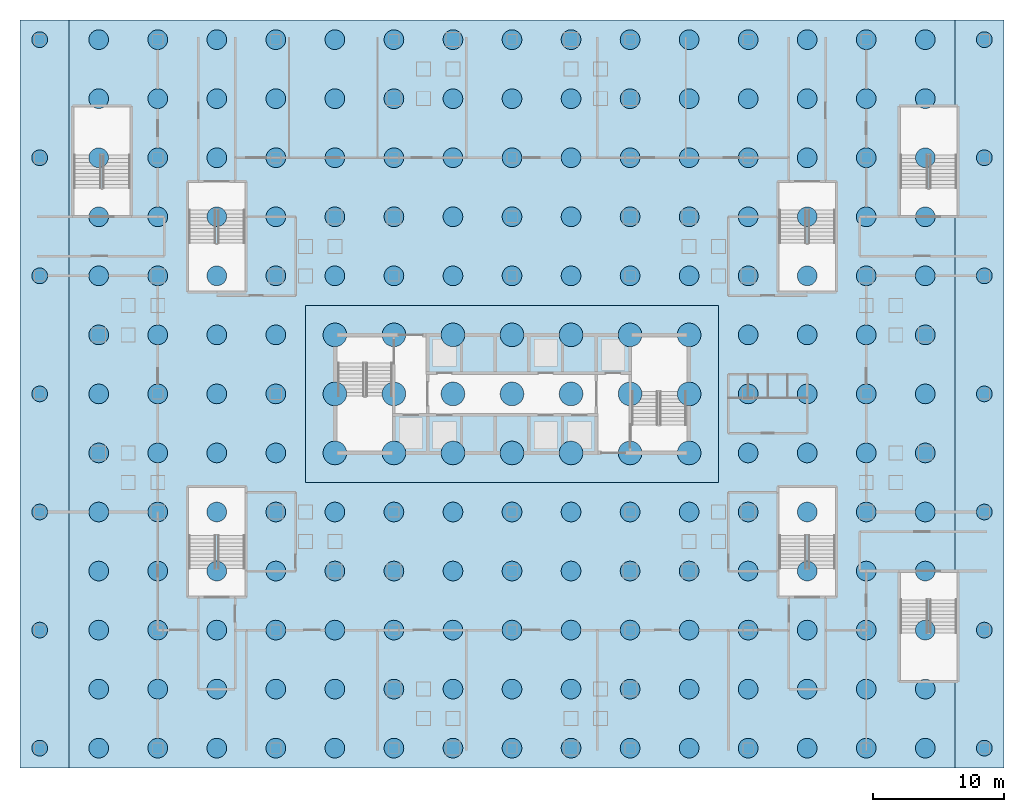
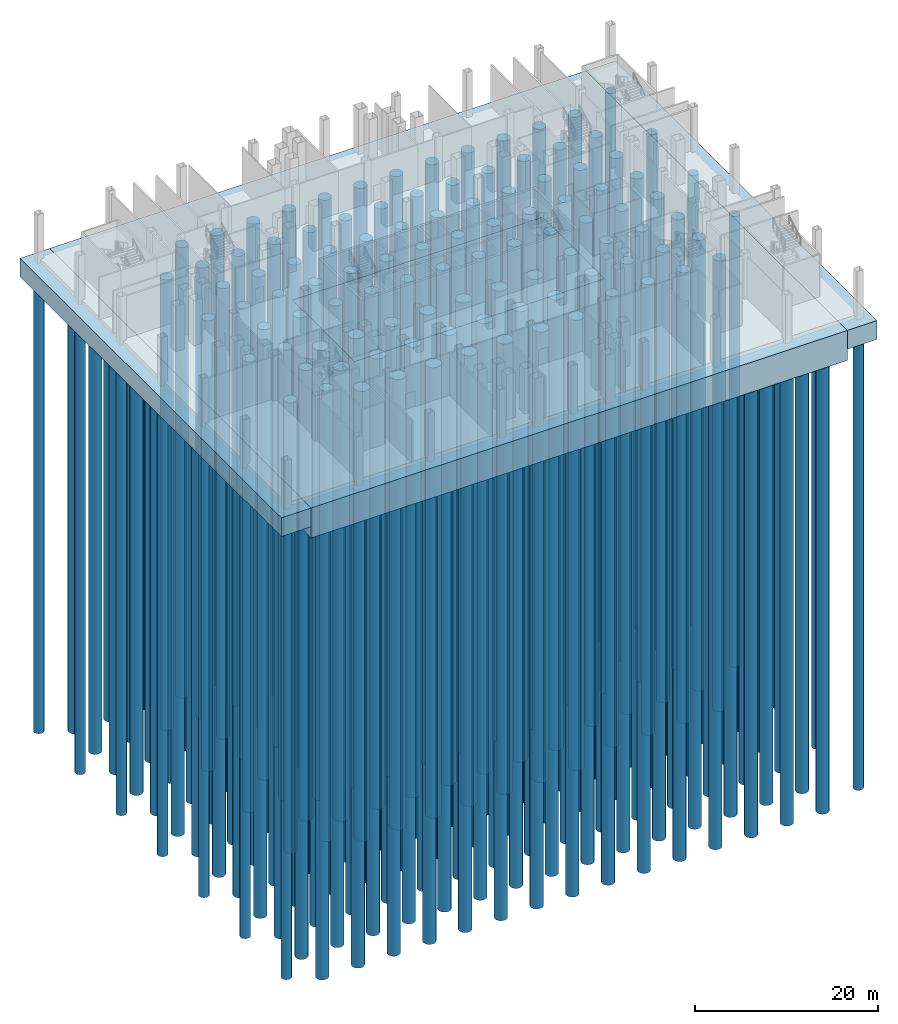
# One storey, part 1 of 25: 209 piles, 4 footings.
"""IFC4 building model written with IfcOpenShell, lengths in metres."""

import ifcopenshell
import ifcopenshell.guid

model = None  # the IFC model being written
_history = None  # IfcOwnerHistory: only IFC2X3 demands one
_inside = {}  # id of a spatial element -> (the spatial element, [elements in it])
_under = {}  # id of a project, library or spatial element -> (it, [spatial elements below it])
_declared = {}  # id of a project -> (the project, [libraries it declares])
_typed = {}  # id of a type object -> (the type object, [elements of that type])
_made_of = {}  # id of a material, layer set ... -> (it, [elements and type objects made of it])


def new_model(schema):
    """Start an empty IFC model of exactly this schema.

    Asked for "IFC4X3", IfcOpenShell would pick the latest addendum, in which some entities
    have other attributes; the version numbers below select the first issue.
    IFC2X3 requires an IfcOwnerHistory on every rooted entity: one is made here for all.
    """
    global model, _history
    if schema == "IFC4X3":
        model = ifcopenshell.file(schema_version=(4, 3, 0, 0))
    else:
        model = ifcopenshell.file(schema=schema)
    _inside.clear()
    _under.clear()
    _declared.clear()
    _typed.clear()
    _made_of.clear()
    _history = None
    if model.schema == "IFC2X3":
        org = make("IfcOrganization", Name="unknown")
        user = make(
            "IfcPersonAndOrganization",
            ThePerson=make("IfcPerson", FamilyName="unknown"),
            TheOrganization=org,
        )
        app = make(
            "IfcApplication",
            ApplicationDeveloper=org,
            Version="unknown",
            ApplicationFullName="unknown",
            ApplicationIdentifier="unknown",
        )
        _history = make(
            "IfcOwnerHistory",
            OwningUser=user,
            OwningApplication=app,
            ChangeAction="ADDED",
            CreationDate=0,
        )
    return model


def make(cls, **values):
    """One entity of the class cls with the attributes given. An attribute that is None is left unset."""
    return model.create_entity(
        cls, **{name: value for name, value in values.items() if value is not None}
    )


def rooted(cls, **values):
    """An entity with a GlobalId (a new one), such as an element, a storey or a relation."""
    return make(cls, GlobalId=ifcopenshell.guid.new(), OwnerHistory=_history, **values)


def si_unit(unit_type, name, prefix=None):
    """IfcSIUnit, for example si_unit("LENGTHUNIT", "METRE", prefix="MILLI")."""
    return make("IfcSIUnit", UnitType=unit_type, Prefix=prefix, Name=name)


def assignment(units):
    """IfcUnitAssignment: the units of a project."""
    return None if units is None else make("IfcUnitAssignment", Units=units)


def point(xyz):
    """IfcCartesianPoint."""
    return None if xyz is None else make("IfcCartesianPoint", Coordinates=xyz)


def direction(xyz):
    """IfcDirection."""
    return None if xyz is None else make("IfcDirection", DirectionRatios=xyz)


def frame(location, z_axis=None, x_axis=None):
    """IfcAxis2Placement3D, a coordinate frame: its origin and axes. An axis left out is left unset."""
    return make(
        "IfcAxis2Placement3D",
        Location=point(location),
        Axis=direction(z_axis),
        RefDirection=direction(x_axis),
    )


def frame_2d(location, x_axis=None):
    """IfcAxis2Placement2D, a coordinate frame in the plane: its origin and x axis."""
    return make(
        "IfcAxis2Placement2D", Location=point(location), RefDirection=direction(x_axis)
    )


def origin():
    """The frame at (0, 0, 0) with its axes left unset."""
    return frame((0.0, 0.0, 0.0))


def origin_2d():
    """The frame at (0, 0) in the plane with its x axis left unset."""
    return frame_2d((0.0, 0.0))


def place(relative_to, where):
    """IfcLocalPlacement: puts the frame where relative to a parent placement (None: the world)."""
    return make(
        "IfcLocalPlacement", PlacementRelTo=relative_to, RelativePlacement=where
    )


def context(
    kind, dimensions, precision=None, world=None, true_north=None, identifier=None
):
    """IfcGeometricRepresentationContext, for example the 3D "Model" context."""
    return make(
        "IfcGeometricRepresentationContext",
        ContextIdentifier=identifier,
        ContextType=kind,
        CoordinateSpaceDimension=dimensions,
        Precision=precision,
        WorldCoordinateSystem=world,
        TrueNorth=true_north,
    )


def subcontext(parent, identifier, kind, view, scale=None):
    """IfcGeometricRepresentationSubContext, for example "Body" below "Model"."""
    return make(
        "IfcGeometricRepresentationSubContext",
        ContextIdentifier=identifier,
        ContextType=kind,
        ParentContext=parent,
        TargetScale=scale,
        TargetView=view,
    )


def project(units=None, contexts=None):
    """IfcProject with its units and contexts."""
    return rooted(
        "IfcProject",
        Name="project",
        RepresentationContexts=contexts,
        UnitsInContext=assignment(units),
    )


def spatial(cls, under=None, at=None, **own):
    """A site, building, storey or space (cls), placed at a placement, below another one or the project."""
    s = rooted(cls, ObjectPlacement=at, **own)
    if under is not None:
        _under.setdefault(under.id(), (under, []))[1].append(s)
    return s


def polyline(points):
    """IfcPolyline through the points."""
    return make("IfcPolyline", Points=[point(p) for p in points])


def profile(cls, at=None, kind="AREA", **sizes):
    """A parametric profile (cls). Its sizes go by their IFC names, for example OverallWidth=200.0."""
    return make(cls, ProfileType=kind, Position=at, **sizes)


def circle(**sizes):
    """IfcCircleProfileDef."""
    return profile("IfcCircleProfileDef", **sizes)


def outline(outer, holes=None, kind="AREA"):
    """IfcArbitraryClosedProfileDef: a profile drawn as a closed curve; with holes, ...WithVoids."""
    if holes is None:
        return make("IfcArbitraryClosedProfileDef", ProfileType=kind, OuterCurve=outer)
    return make(
        "IfcArbitraryProfileDefWithVoids",
        ProfileType=kind,
        OuterCurve=outer,
        InnerCurves=holes,
    )


def extrude(swept, where, along, depth):
    """IfcExtrudedAreaSolid: the profile swept, set in the frame where, extruded along a direction by depth."""
    return make(
        "IfcExtrudedAreaSolid",
        SweptArea=swept,
        Position=where,
        ExtrudedDirection=direction(along),
        Depth=depth,
    )


def shape(context_of_items, identifier, shape_type, items):
    """IfcShapeRepresentation: the items that make up one representation, for example the "Body"."""
    return make(
        "IfcShapeRepresentation",
        ContextOfItems=context_of_items,
        RepresentationIdentifier=identifier,
        RepresentationType=shape_type,
        Items=items,
    )


def material(Name=None, Category=None):
    """IfcMaterial."""
    return make("IfcMaterial", Name=Name, Category=Category)


def layer(
    of_material, thickness, ventilated=None, Name=None, Category=None, Priority=None
):
    """IfcMaterialLayer: one layer of a wall or slab, of a material (None: an air gap)."""
    return make(
        "IfcMaterialLayer",
        Material=of_material,
        LayerThickness=thickness,
        IsVentilated=ventilated,
        Name=Name,
        Category=Category,
        Priority=Priority,
    )


def layer_set(layers, Name=None):
    """IfcMaterialLayerSet."""
    return make("IfcMaterialLayerSet", MaterialLayers=layers, LayerSetName=Name)


def material_profile(
    of_material, cross_section, Name=None, Category=None, Priority=None
):
    """IfcMaterialProfile: a cross section and its material."""
    return make(
        "IfcMaterialProfile",
        Name=Name,
        Material=of_material,
        Profile=cross_section,
        Priority=Priority,
        Category=Category,
    )


def profile_set(profiles, Name=None, composite=None):
    """IfcMaterialProfileSet."""
    return make(
        "IfcMaterialProfileSet",
        Name=Name,
        MaterialProfiles=profiles,
        CompositeProfile=composite,
    )


def made_of(thing, what):
    """Note that an element or type object is made of a material, layer set ...; save() writes the relation."""
    if what is not None:
        _made_of.setdefault(what.id(), (what, []))[1].append(thing)
    return thing


def type_object(cls, material=None, **own):
    """A type object (cls), such as IfcWallType, which elements share."""
    return made_of(rooted(cls, **own), material)


def element(
    cls,
    number,
    at=None,
    inside=None,
    cuts=None,
    type_object=None,
    material=None,
    context=None,
    identifier="Body",
    shape_type=None,
    held_by="IfcProductDefinitionShape",
    body=None,
    shapes=None,
    **own,
):
    """One element of the class cls, such as IfcWall. Its Tag is "e" and its number.

    at: its placement. inside: the storey or other place that contains it. cuts: it is an
    opening in that element (IfcRelVoidsElement). A single representation is given by context,
    identifier, shape_type and body (its items); several are given by shapes. held_by: the class
    of the entity that holds the representations. save() writes the other relations.
    """
    e = rooted(cls, Tag="e%d" % number, ObjectPlacement=at, **own)
    if body is not None:
        shapes = [shape(context, identifier, shape_type, body)]
    if shapes is not None:
        e.Representation = make(held_by, Representations=shapes)
    if inside is not None:
        _inside.setdefault(inside.id(), (inside, []))[1].append(e)
    if cuts is not None:
        rooted(
            "IfcRelVoidsElement", RelatingBuildingElement=cuts, RelatedOpeningElement=e
        )
    if type_object is not None:
        _typed.setdefault(type_object.id(), (type_object, []))[1].append(e)
    return made_of(e, material)


def aggregate(whole, parts):
    """IfcRelAggregates: a whole, such as a stair, and the parts it consists of."""
    return rooted("IfcRelAggregates", RelatingObject=whole, RelatedObjects=parts)


def save(model, path):
    """Write the relations noted so far, then the file.

    IfcRelAggregates (storeys below a building ...), IfcRelContainedInSpatialStructure (elements
    in a storey), IfcRelDefinesByType, IfcRelAssociatesMaterial and IfcRelDeclares: one each for
    every whole, place, type object, material and project.
    """
    for whole, parts in _under.values():
        aggregate(whole, parts)
    for where, things in _inside.values():
        rooted(
            "IfcRelContainedInSpatialStructure",
            RelatedElements=things,
            RelatingStructure=where,
        )
    for kind, things in _typed.values():
        rooted("IfcRelDefinesByType", RelatedObjects=things, RelatingType=kind)
    for what, things in _made_of.values():
        rooted("IfcRelAssociatesMaterial", RelatedObjects=things, RelatingMaterial=what)
    for by, libraries in _declared.values():
        rooted("IfcRelDeclares", RelatingContext=by, RelatedDefinitions=libraries)
    model.write(path)


model = new_model("IFC4")

# Units and contexts
model_context = context("Model", 3, precision=1e-05, world=origin(), true_north=direction((0.0, 1.0)))
body_context = subcontext(model_context, "Body", "Model", "MODEL_VIEW")
ifc_project = project(units=[si_unit("LENGTHUNIT", "METRE"), si_unit("AREAUNIT", "SQUARE_METRE"), si_unit("VOLUMEUNIT", "CUBIC_METRE"), si_unit("PLANEANGLEUNIT", "RADIAN"), si_unit("MASSUNIT", "GRAM", prefix="KILO")], contexts=[model_context])

# Site, building, storey
site_placement = place(None, origin())
site = spatial("IfcSite", under=ifc_project, at=site_placement, CompositionType="ELEMENT")
building_placement = place(site_placement, origin())
building = spatial("IfcBuilding", under=site, at=building_placement, Name="Caravel Reach Hotel and Residences", CompositionType="ELEMENT")
storey_placement = place(building_placement, frame((0.0, 0.0, -6.0)))
storey = spatial("IfcBuildingStorey", under=building, at=storey_placement, Name="B1", CompositionType="ELEMENT", Elevation=-6.0)

# Piles
ifc_material_1 = material(Name="Concrete C40", Category="concrete")
ifc_material_profile_1 = material_profile(ifc_material_1, circle(Radius=0.60009765625, at=origin_2d()), Name="PILE 1200")
ifc_profile_set_1 = profile_set([ifc_material_profile_1], Name="Concrete C40")
pile_type_1 = type_object("IfcPileType", Name="Bored pile 1200", PredefinedType="BORED", material=ifc_profile_set_1)
for number, where, z_axis, x_axis, name in (
    (1, (-4.5, 0.0, -3.0), (0.0, 0.0, -1.0), (1.0, 0.0, 0.0), "Bored pile P196"),
    (2, (-4.5, 9.0, -3.0), (0.0, 0.0, -1.0), (1.0, 0.0, 0.0), "Bored pile P197"),
    (3, (-4.5, 18.0, -3.0), (0.0, 0.0, -1.0), (1.0, 0.0, 0.0), "Bored pile P198"),
    (4, (-4.5, 27.0, -3.0), (0.0, 0.0, -1.0), (1.0, 0.0, 0.0), "Bored pile P199"),
    (5, (-4.5, 36.0, -3.0), (0.0, 0.0, -1.0), (1.0, 0.0, 0.0), "Bored pile P200"),
    (6, (-4.5, 45.0, -3.0), (0.0, 0.0, -1.0), (1.0, 0.0, 0.0), "Bored pile P201"),
    (7, (-4.5, 54.0, -3.0), (0.0, 0.0, -1.0), (1.0, 0.0, 0.0), "Bored pile P202"),
    (8, (67.5, 0.0, -3.0), (0.0, 0.0, -1.0), (1.0, 0.0, 0.0), "Bored pile P203"),
    (9, (67.5, 9.0, -3.0), (0.0, 0.0, -1.0), (1.0, 0.0, 0.0), "Bored pile P204"),
    (10, (67.5, 18.0, -3.0), (0.0, 0.0, -1.0), (1.0, 0.0, 0.0), "Bored pile P205"),
    (11, (67.5, 27.0, -3.0), (0.0, 0.0, -1.0), (1.0, 0.0, 0.0), "Bored pile P206"),
    (12, (67.5, 36.0, -3.0), (0.0, 0.0, -1.0), (1.0, 0.0, 0.0), "Bored pile P207"),
    (13, (67.5, 45.0, -3.0), (0.0, 0.0, -1.0), (1.0, 0.0, 0.0), "Bored pile P208"),
    (14, (67.5, 54.0, -3.0), (0.0, 0.0, -1.0), (1.0, 0.0, 0.0), "Bored pile P209"),
):
    element("IfcPile", number, at=place(storey_placement, frame(where, z_axis=z_axis, x_axis=x_axis)), inside=storey, type_object=pile_type_1, Name=name, PredefinedType="BORED", context=body_context, shape_type="SweptSolid", body=[
        extrude(circle(Radius=0.60009765625, at=origin_2d()), origin(), (0.0, 0.0, 1.0), 60.0),
    ])
ifc_material_2 = material(Name="Concrete C40", Category="concrete")
ifc_material_profile_2 = material_profile(ifc_material_2, circle(Radius=0.75, at=origin_2d()), Name="PILE 1500")
ifc_profile_set_2 = profile_set([ifc_material_profile_2], Name="Concrete C40")
pile_type_2 = type_object("IfcPileType", Name="Bored pile 1500", PredefinedType="BORED", material=ifc_profile_set_2)
for number, where, z_axis, x_axis, name in (
    (15, (0.0, 0.0, -4.5), (0.0, 0.0, -1.0), (1.0, 0.0, 0.0), "Bored pile P001"),
    (16, (0.0, 4.5, -4.5), (0.0, 0.0, -1.0), (1.0, 0.0, 0.0), "Bored pile P002"),
    (17, (0.0, 9.0, -4.5), (0.0, 0.0, -1.0), (1.0, 0.0, 0.0), "Bored pile P003"),
    (18, (0.0, 13.5, -4.5), (0.0, 0.0, -1.0), (1.0, 0.0, 0.0), "Bored pile P004"),
    (19, (0.0, 18.0, -4.5), (0.0, 0.0, -1.0), (1.0, 0.0, 0.0), "Bored pile P005"),
    (20, (0.0, 22.5, -4.5), (0.0, 0.0, -1.0), (1.0, 0.0, 0.0), "Bored pile P006"),
    (21, (0.0, 27.0, -4.5), (0.0, 0.0, -1.0), (1.0, 0.0, 0.0), "Bored pile P007"),
    (22, (0.0, 31.5, -4.5), (0.0, 0.0, -1.0), (1.0, 0.0, 0.0), "Bored pile P008"),
    (23, (0.0, 36.0, -4.5), (0.0, 0.0, -1.0), (1.0, 0.0, 0.0), "Bored pile P009"),
    (24, (0.0, 40.5, -4.5), (0.0, 0.0, -1.0), (1.0, 0.0, 0.0), "Bored pile P010"),
    (25, (0.0, 45.0, -4.5), (0.0, 0.0, -1.0), (1.0, 0.0, 0.0), "Bored pile P011"),
    (26, (0.0, 49.5, -4.5), (0.0, 0.0, -1.0), (1.0, 0.0, 0.0), "Bored pile P012"),
    (27, (0.0, 54.0, -4.5), (0.0, 0.0, -1.0), (1.0, 0.0, 0.0), "Bored pile P013"),
    (28, (4.5, 0.0, -4.5), (0.0, 0.0, -1.0), (1.0, 0.0, 0.0), "Bored pile P014"),
    (29, (4.5, 4.5, -4.5), (0.0, 0.0, -1.0), (1.0, 0.0, 0.0), "Bored pile P015"),
    (30, (4.5, 9.0, -4.5), (0.0, 0.0, -1.0), (1.0, 0.0, 0.0), "Bored pile P016"),
    (31, (4.5, 13.5, -4.5), (0.0, 0.0, -1.0), (1.0, 0.0, 0.0), "Bored pile P017"),
    (32, (4.5, 18.0, -4.5), (0.0, 0.0, -1.0), (1.0, 0.0, 0.0), "Bored pile P018"),
    (33, (4.5, 22.5, -4.5), (0.0, 0.0, -1.0), (1.0, 0.0, 0.0), "Bored pile P019"),
    (34, (4.5, 27.0, -4.5), (0.0, 0.0, -1.0), (1.0, 0.0, 0.0), "Bored pile P020"),
    (35, (4.5, 31.5, -4.5), (0.0, 0.0, -1.0), (1.0, 0.0, 0.0), "Bored pile P021"),
    (36, (4.5, 36.0, -4.5), (0.0, 0.0, -1.0), (1.0, 0.0, 0.0), "Bored pile P022"),
    (37, (4.5, 40.5, -4.5), (0.0, 0.0, -1.0), (1.0, 0.0, 0.0), "Bored pile P023"),
    (38, (4.5, 45.0, -4.5), (0.0, 0.0, -1.0), (1.0, 0.0, 0.0), "Bored pile P024"),
    (39, (4.5, 49.5, -4.5), (0.0, 0.0, -1.0), (1.0, 0.0, 0.0), "Bored pile P025"),
    (40, (4.5, 54.0, -4.5), (0.0, 0.0, -1.0), (1.0, 0.0, 0.0), "Bored pile P026"),
    (41, (9.0, 0.0, -4.5), (0.0, 0.0, -1.0), (1.0, 0.0, 0.0), "Bored pile P027"),
    (42, (9.0, 4.5, -4.5), (0.0, 0.0, -1.0), (1.0, 0.0, 0.0), "Bored pile P028"),
    (43, (9.0, 9.0, -4.5), (0.0, 0.0, -1.0), (1.0, 0.0, 0.0), "Bored pile P029"),
    (44, (9.0, 13.5, -4.5), (0.0, 0.0, -1.0), (1.0, 0.0, 0.0), "Bored pile P030"),
    (45, (9.0, 18.0, -4.5), (0.0, 0.0, -1.0), (1.0, 0.0, 0.0), "Bored pile P031"),
    (46, (9.0, 22.5, -4.5), (0.0, 0.0, -1.0), (1.0, 0.0, 0.0), "Bored pile P032"),
    (47, (9.0, 27.0, -4.5), (0.0, 0.0, -1.0), (1.0, 0.0, 0.0), "Bored pile P033"),
    (48, (9.0, 31.5, -4.5), (0.0, 0.0, -1.0), (1.0, 0.0, 0.0), "Bored pile P034"),
    (49, (9.0, 36.0, -4.5), (0.0, 0.0, -1.0), (1.0, 0.0, 0.0), "Bored pile P035"),
    (50, (9.0, 40.5, -4.5), (0.0, 0.0, -1.0), (1.0, 0.0, 0.0), "Bored pile P036"),
    (51, (9.0, 45.0, -4.5), (0.0, 0.0, -1.0), (1.0, 0.0, 0.0), "Bored pile P037"),
    (52, (9.0, 49.5, -4.5), (0.0, 0.0, -1.0), (1.0, 0.0, 0.0), "Bored pile P038"),
    (53, (9.0, 54.0, -4.5), (0.0, 0.0, -1.0), (1.0, 0.0, 0.0), "Bored pile P039"),
    (54, (13.5, 0.0, -4.5), (0.0, 0.0, -1.0), (1.0, 0.0, 0.0), "Bored pile P040"),
    (55, (13.5, 4.5, -4.5), (0.0, 0.0, -1.0), (1.0, 0.0, 0.0), "Bored pile P041"),
    (56, (13.5, 9.0, -4.5), (0.0, 0.0, -1.0), (1.0, 0.0, 0.0), "Bored pile P042"),
    (57, (13.5, 13.5, -4.5), (0.0, 0.0, -1.0), (1.0, 0.0, 0.0), "Bored pile P043"),
    (58, (13.5, 18.0, -4.5), (0.0, 0.0, -1.0), (1.0, 0.0, 0.0), "Bored pile P044"),
    (59, (13.5, 22.5, -4.5), (0.0, 0.0, -1.0), (1.0, 0.0, 0.0), "Bored pile P045"),
    (60, (13.5, 27.0, -4.5), (0.0, 0.0, -1.0), (1.0, 0.0, 0.0), "Bored pile P046"),
    (61, (13.5, 31.5, -4.5), (0.0, 0.0, -1.0), (1.0, 0.0, 0.0), "Bored pile P047"),
    (62, (13.5, 36.0, -4.5), (0.0, 0.0, -1.0), (1.0, 0.0, 0.0), "Bored pile P048"),
    (63, (13.5, 40.5, -4.5), (0.0, 0.0, -1.0), (1.0, 0.0, 0.0), "Bored pile P049"),
    (64, (13.5, 45.0, -4.5), (0.0, 0.0, -1.0), (1.0, 0.0, 0.0), "Bored pile P050"),
    (65, (13.5, 49.5, -4.5), (0.0, 0.0, -1.0), (1.0, 0.0, 0.0), "Bored pile P051"),
    (66, (13.5, 54.0, -4.5), (0.0, 0.0, -1.0), (1.0, 0.0, 0.0), "Bored pile P052"),
    (67, (18.0, 0.0, -4.5), (0.0, 0.0, -1.0), (1.0, 0.0, 0.0), "Bored pile P053"),
    (68, (18.0, 4.5, -4.5), (0.0, 0.0, -1.0), (1.0, 0.0, 0.0), "Bored pile P054"),
    (69, (18.0, 9.0, -4.5), (0.0, 0.0, -1.0), (1.0, 0.0, 0.0), "Bored pile P055"),
    (70, (18.0, 13.5, -4.5), (0.0, 0.0, -1.0), (1.0, 0.0, 0.0), "Bored pile P056"),
    (71, (18.0, 18.0, -4.5), (0.0, 0.0, -1.0), (1.0, 0.0, 0.0), "Bored pile P057"),
    (72, (18.0, 36.0, -4.5), (0.0, 0.0, -1.0), (1.0, 0.0, 0.0), "Bored pile P061"),
    (73, (18.0, 40.5, -4.5), (0.0, 0.0, -1.0), (1.0, 0.0, 0.0), "Bored pile P062"),
    (74, (18.0, 45.0, -4.5), (0.0, 0.0, -1.0), (1.0, 0.0, 0.0), "Bored pile P063"),
    (75, (18.0, 49.5, -4.5), (0.0, 0.0, -1.0), (1.0, 0.0, 0.0), "Bored pile P064"),
    (76, (18.0, 54.0, -4.5), (0.0, 0.0, -1.0), (1.0, 0.0, 0.0), "Bored pile P065"),
    (77, (22.5, 0.0, -4.5), (0.0, 0.0, -1.0), (1.0, 0.0, 0.0), "Bored pile P066"),
    (78, (22.5, 4.5, -4.5), (0.0, 0.0, -1.0), (1.0, 0.0, 0.0), "Bored pile P067"),
    (79, (22.5, 9.0, -4.5), (0.0, 0.0, -1.0), (1.0, 0.0, 0.0), "Bored pile P068"),
    (80, (22.5, 13.5, -4.5), (0.0, 0.0, -1.0), (1.0, 0.0, 0.0), "Bored pile P069"),
    (81, (22.5, 18.0, -4.5), (0.0, 0.0, -1.0), (1.0, 0.0, 0.0), "Bored pile P070"),
    (82, (22.5, 36.0, -4.5), (0.0, 0.0, -1.0), (1.0, 0.0, 0.0), "Bored pile P074"),
    (83, (22.5, 40.5, -4.5), (0.0, 0.0, -1.0), (1.0, 0.0, 0.0), "Bored pile P075"),
    (84, (22.5, 45.0, -4.5), (0.0, 0.0, -1.0), (1.0, 0.0, 0.0), "Bored pile P076"),
    (85, (22.5, 49.5, -4.5), (0.0, 0.0, -1.0), (1.0, 0.0, 0.0), "Bored pile P077"),
    (86, (22.5, 54.0, -4.5), (0.0, 0.0, -1.0), (1.0, 0.0, 0.0), "Bored pile P078"),
    (87, (27.0, 0.0, -4.5), (0.0, 0.0, -1.0), (1.0, 0.0, 0.0), "Bored pile P079"),
    (88, (27.0, 4.5, -4.5), (0.0, 0.0, -1.0), (1.0, 0.0, 0.0), "Bored pile P080"),
    (89, (27.0, 9.0, -4.5), (0.0, 0.0, -1.0), (1.0, 0.0, 0.0), "Bored pile P081"),
    (90, (27.0, 13.5, -4.5), (0.0, 0.0, -1.0), (1.0, 0.0, 0.0), "Bored pile P082"),
    (91, (27.0, 18.0, -4.5), (0.0, 0.0, -1.0), (1.0, 0.0, 0.0), "Bored pile P083"),
    (92, (27.0, 36.0, -4.5), (0.0, 0.0, -1.0), (1.0, 0.0, 0.0), "Bored pile P087"),
    (93, (27.0, 40.5, -4.5), (0.0, 0.0, -1.0), (1.0, 0.0, 0.0), "Bored pile P088"),
    (94, (27.0, 45.0, -4.5), (0.0, 0.0, -1.0), (1.0, 0.0, 0.0), "Bored pile P089"),
    (95, (27.0, 49.5, -4.5), (0.0, 0.0, -1.0), (1.0, 0.0, 0.0), "Bored pile P090"),
    (96, (27.0, 54.0, -4.5), (0.0, 0.0, -1.0), (1.0, 0.0, 0.0), "Bored pile P091"),
    (97, (31.5, 0.0, -4.5), (0.0, 0.0, -1.0), (1.0, 0.0, 0.0), "Bored pile P092"),
    (98, (31.5, 4.5, -4.5), (0.0, 0.0, -1.0), (1.0, 0.0, 0.0), "Bored pile P093"),
    (99, (31.5, 9.0, -4.5), (0.0, 0.0, -1.0), (1.0, 0.0, 0.0), "Bored pile P094"),
    (100, (31.5, 13.5, -4.5), (0.0, 0.0, -1.0), (1.0, 0.0, 0.0), "Bored pile P095"),
    (101, (31.5, 18.0, -4.5), (0.0, 0.0, -1.0), (1.0, 0.0, 0.0), "Bored pile P096"),
    (102, (31.5, 36.0, -4.5), (0.0, 0.0, -1.0), (1.0, 0.0, 0.0), "Bored pile P100"),
    (103, (31.5, 40.5, -4.5), (0.0, 0.0, -1.0), (1.0, 0.0, 0.0), "Bored pile P101"),
    (104, (31.5, 45.0, -4.5), (0.0, 0.0, -1.0), (1.0, 0.0, 0.0), "Bored pile P102"),
    (105, (31.5, 49.5, -4.5), (0.0, 0.0, -1.0), (1.0, 0.0, 0.0), "Bored pile P103"),
    (106, (31.5, 54.0, -4.5), (0.0, 0.0, -1.0), (1.0, 0.0, 0.0), "Bored pile P104"),
    (107, (36.0, 0.0, -4.5), (0.0, 0.0, -1.0), (1.0, 0.0, 0.0), "Bored pile P105"),
    (108, (36.0, 4.5, -4.5), (0.0, 0.0, -1.0), (1.0, 0.0, 0.0), "Bored pile P106"),
    (109, (36.0, 9.0, -4.5), (0.0, 0.0, -1.0), (1.0, 0.0, 0.0), "Bored pile P107"),
    (110, (36.0, 13.5, -4.5), (0.0, 0.0, -1.0), (1.0, 0.0, 0.0), "Bored pile P108"),
    (111, (36.0, 18.0, -4.5), (0.0, 0.0, -1.0), (1.0, 0.0, 0.0), "Bored pile P109"),
    (112, (36.0, 36.0, -4.5), (0.0, 0.0, -1.0), (1.0, 0.0, 0.0), "Bored pile P113"),
    (113, (36.0, 40.5, -4.5), (0.0, 0.0, -1.0), (1.0, 0.0, 0.0), "Bored pile P114"),
    (114, (36.0, 45.0, -4.5), (0.0, 0.0, -1.0), (1.0, 0.0, 0.0), "Bored pile P115"),
    (115, (36.0, 49.5, -4.5), (0.0, 0.0, -1.0), (1.0, 0.0, 0.0), "Bored pile P116"),
    (116, (36.0, 54.0, -4.5), (0.0, 0.0, -1.0), (1.0, 0.0, 0.0), "Bored pile P117"),
    (117, (40.5, 0.0, -4.5), (0.0, 0.0, -1.0), (1.0, 0.0, 0.0), "Bored pile P118"),
    (118, (40.5, 4.5, -4.5), (0.0, 0.0, -1.0), (1.0, 0.0, 0.0), "Bored pile P119"),
    (119, (40.5, 9.0, -4.5), (0.0, 0.0, -1.0), (1.0, 0.0, 0.0), "Bored pile P120"),
    (120, (40.5, 13.5, -4.5), (0.0, 0.0, -1.0), (1.0, 0.0, 0.0), "Bored pile P121"),
    (121, (40.5, 18.0, -4.5), (0.0, 0.0, -1.0), (1.0, 0.0, 0.0), "Bored pile P122"),
    (122, (40.5, 36.0, -4.5), (0.0, 0.0, -1.0), (1.0, 0.0, 0.0), "Bored pile P126"),
    (123, (40.5, 40.5, -4.5), (0.0, 0.0, -1.0), (1.0, 0.0, 0.0), "Bored pile P127"),
    (124, (40.5, 45.0, -4.5), (0.0, 0.0, -1.0), (1.0, 0.0, 0.0), "Bored pile P128"),
    (125, (40.5, 49.5, -4.5), (0.0, 0.0, -1.0), (1.0, 0.0, 0.0), "Bored pile P129"),
    (126, (40.5, 54.0, -4.5), (0.0, 0.0, -1.0), (1.0, 0.0, 0.0), "Bored pile P130"),
    (127, (45.0, 0.0, -4.5), (0.0, 0.0, -1.0), (1.0, 0.0, 0.0), "Bored pile P131"),
    (128, (45.0, 4.5, -4.5), (0.0, 0.0, -1.0), (1.0, 0.0, 0.0), "Bored pile P132"),
    (129, (45.0, 9.0, -4.5), (0.0, 0.0, -1.0), (1.0, 0.0, 0.0), "Bored pile P133"),
    (130, (45.0, 13.5, -4.5), (0.0, 0.0, -1.0), (1.0, 0.0, 0.0), "Bored pile P134"),
    (131, (45.0, 18.0, -4.5), (0.0, 0.0, -1.0), (1.0, 0.0, 0.0), "Bored pile P135"),
    (132, (45.0, 36.0, -4.5), (0.0, 0.0, -1.0), (1.0, 0.0, 0.0), "Bored pile P139"),
    (133, (45.0, 40.5, -4.5), (0.0, 0.0, -1.0), (1.0, 0.0, 0.0), "Bored pile P140"),
    (134, (45.0, 45.0, -4.5), (0.0, 0.0, -1.0), (1.0, 0.0, 0.0), "Bored pile P141"),
    (135, (45.0, 49.5, -4.5), (0.0, 0.0, -1.0), (1.0, 0.0, 0.0), "Bored pile P142"),
    (136, (45.0, 54.0, -4.5), (0.0, 0.0, -1.0), (1.0, 0.0, 0.0), "Bored pile P143"),
    (137, (49.5, 0.0, -4.5), (0.0, 0.0, -1.0), (1.0, 0.0, 0.0), "Bored pile P144"),
    (138, (49.5, 4.5, -4.5), (0.0, 0.0, -1.0), (1.0, 0.0, 0.0), "Bored pile P145"),
    (139, (49.5, 9.0, -4.5), (0.0, 0.0, -1.0), (1.0, 0.0, 0.0), "Bored pile P146"),
    (140, (49.5, 13.5, -4.5), (0.0, 0.0, -1.0), (1.0, 0.0, 0.0), "Bored pile P147"),
    (141, (49.5, 18.0, -4.5), (0.0, 0.0, -1.0), (1.0, 0.0, 0.0), "Bored pile P148"),
    (142, (49.5, 22.5, -4.5), (0.0, 0.0, -1.0), (1.0, 0.0, 0.0), "Bored pile P149"),
    (143, (49.5, 27.0, -4.5), (0.0, 0.0, -1.0), (1.0, 0.0, 0.0), "Bored pile P150"),
    (144, (49.5, 31.5, -4.5), (0.0, 0.0, -1.0), (1.0, 0.0, 0.0), "Bored pile P151"),
    (145, (49.5, 36.0, -4.5), (0.0, 0.0, -1.0), (1.0, 0.0, 0.0), "Bored pile P152"),
    (146, (49.5, 40.5, -4.5), (0.0, 0.0, -1.0), (1.0, 0.0, 0.0), "Bored pile P153"),
    (147, (49.5, 45.0, -4.5), (0.0, 0.0, -1.0), (1.0, 0.0, 0.0), "Bored pile P154"),
    (148, (49.5, 49.5, -4.5), (0.0, 0.0, -1.0), (1.0, 0.0, 0.0), "Bored pile P155"),
    (149, (49.5, 54.0, -4.5), (0.0, 0.0, -1.0), (1.0, 0.0, 0.0), "Bored pile P156"),
    (150, (54.0, 0.0, -4.5), (0.0, 0.0, -1.0), (1.0, 0.0, 0.0), "Bored pile P157"),
    (151, (54.0, 4.5, -4.5), (0.0, 0.0, -1.0), (1.0, 0.0, 0.0), "Bored pile P158"),
    (152, (54.0, 9.0, -4.5), (0.0, 0.0, -1.0), (1.0, 0.0, 0.0), "Bored pile P159"),
    (153, (54.0, 13.5, -4.5), (0.0, 0.0, -1.0), (1.0, 0.0, 0.0), "Bored pile P160"),
    (154, (54.0, 18.0, -4.5), (0.0, 0.0, -1.0), (1.0, 0.0, 0.0), "Bored pile P161"),
    (155, (54.0, 22.5, -4.5), (0.0, 0.0, -1.0), (1.0, 0.0, 0.0), "Bored pile P162"),
    (156, (54.0, 27.0, -4.5), (0.0, 0.0, -1.0), (1.0, 0.0, 0.0), "Bored pile P163"),
    (157, (54.0, 31.5, -4.5), (0.0, 0.0, -1.0), (1.0, 0.0, 0.0), "Bored pile P164"),
    (158, (54.0, 36.0, -4.5), (0.0, 0.0, -1.0), (1.0, 0.0, 0.0), "Bored pile P165"),
    (159, (54.0, 40.5, -4.5), (0.0, 0.0, -1.0), (1.0, 0.0, 0.0), "Bored pile P166"),
    (160, (54.0, 45.0, -4.5), (0.0, 0.0, -1.0), (1.0, 0.0, 0.0), "Bored pile P167"),
    (161, (54.0, 49.5, -4.5), (0.0, 0.0, -1.0), (1.0, 0.0, 0.0), "Bored pile P168"),
    (162, (54.0, 54.0, -4.5), (0.0, 0.0, -1.0), (1.0, 0.0, 0.0), "Bored pile P169"),
    (163, (58.5, 0.0, -4.5), (0.0, 0.0, -1.0), (1.0, 0.0, 0.0), "Bored pile P170"),
    (164, (58.5, 4.5, -4.5), (0.0, 0.0, -1.0), (1.0, 0.0, 0.0), "Bored pile P171"),
    (165, (58.5, 9.0, -4.5), (0.0, 0.0, -1.0), (1.0, 0.0, 0.0), "Bored pile P172"),
    (166, (58.5, 13.5, -4.5), (0.0, 0.0, -1.0), (1.0, 0.0, 0.0), "Bored pile P173"),
    (167, (58.5, 18.0, -4.5), (0.0, 0.0, -1.0), (1.0, 0.0, 0.0), "Bored pile P174"),
    (168, (58.5, 22.5, -4.5), (0.0, 0.0, -1.0), (1.0, 0.0, 0.0), "Bored pile P175"),
    (169, (58.5, 27.0, -4.5), (0.0, 0.0, -1.0), (1.0, 0.0, 0.0), "Bored pile P176"),
    (170, (58.5, 31.5, -4.5), (0.0, 0.0, -1.0), (1.0, 0.0, 0.0), "Bored pile P177"),
    (171, (58.5, 36.0, -4.5), (0.0, 0.0, -1.0), (1.0, 0.0, 0.0), "Bored pile P178"),
    (172, (58.5, 40.5, -4.5), (0.0, 0.0, -1.0), (1.0, 0.0, 0.0), "Bored pile P179"),
    (173, (58.5, 45.0, -4.5), (0.0, 0.0, -1.0), (1.0, 0.0, 0.0), "Bored pile P180"),
    (174, (58.5, 49.5, -4.5), (0.0, 0.0, -1.0), (1.0, 0.0, 0.0), "Bored pile P181"),
    (175, (58.5, 54.0, -4.5), (0.0, 0.0, -1.0), (1.0, 0.0, 0.0), "Bored pile P182"),
    (176, (63.0, 0.0, -4.5), (0.0, 0.0, -1.0), (1.0, 0.0, 0.0), "Bored pile P183"),
    (177, (63.0, 4.5, -4.5), (0.0, 0.0, -1.0), (1.0, 0.0, 0.0), "Bored pile P184"),
    (178, (63.0, 9.0, -4.5), (0.0, 0.0, -1.0), (1.0, 0.0, 0.0), "Bored pile P185"),
    (179, (63.0, 13.5, -4.5), (0.0, 0.0, -1.0), (1.0, 0.0, 0.0), "Bored pile P186"),
    (180, (63.0, 18.0, -4.5), (0.0, 0.0, -1.0), (1.0, 0.0, 0.0), "Bored pile P187"),
    (181, (63.0, 22.5, -4.5), (0.0, 0.0, -1.0), (1.0, 0.0, 0.0), "Bored pile P188"),
    (182, (63.0, 27.0, -4.5), (0.0, 0.0, -1.0), (1.0, 0.0, 0.0), "Bored pile P189"),
    (183, (63.0, 31.5, -4.5), (0.0, 0.0, -1.0), (1.0, 0.0, 0.0), "Bored pile P190"),
    (184, (63.0, 36.0, -4.5), (0.0, 0.0, -1.0), (1.0, 0.0, 0.0), "Bored pile P191"),
    (185, (63.0, 40.5, -4.5), (0.0, 0.0, -1.0), (1.0, 0.0, 0.0), "Bored pile P192"),
    (186, (63.0, 45.0, -4.5), (0.0, 0.0, -1.0), (1.0, 0.0, 0.0), "Bored pile P193"),
    (187, (63.0, 49.5, -4.5), (0.0, 0.0, -1.0), (1.0, 0.0, 0.0), "Bored pile P194"),
    (188, (63.0, 54.0, -4.5), (0.0, 0.0, -1.0), (1.0, 0.0, 0.0), "Bored pile P195"),
):
    element("IfcPile", number, at=place(storey_placement, frame(where, z_axis=z_axis, x_axis=x_axis)), inside=storey, type_object=pile_type_2, Name=name, PredefinedType="BORED", context=body_context, shape_type="SweptSolid", body=[
        extrude(circle(Radius=0.75, at=origin_2d()), origin(), (0.0, 0.0, 1.0), 60.0),
    ])
ifc_material_3 = material(Name="Concrete C40", Category="concrete")
ifc_material_profile_3 = material_profile(ifc_material_3, circle(Radius=0.89990234375, at=origin_2d()), Name="PILE 1800")
ifc_profile_set_3 = profile_set([ifc_material_profile_3], Name="Concrete C40")
pile_type_3 = type_object("IfcPileType", Name="Bored pile 1800", PredefinedType="BORED", material=ifc_profile_set_3)
for number, where, z_axis, x_axis, name in (
    (189, (18.0, 22.5, -6.0), (0.0, 0.0, -1.0), (1.0, 0.0, 0.0), "Bored pile P058"),
    (190, (18.0, 27.0, -6.0), (0.0, 0.0, -1.0), (1.0, 0.0, 0.0), "Bored pile P059"),
    (191, (18.0, 31.5, -6.0), (0.0, 0.0, -1.0), (1.0, 0.0, 0.0), "Bored pile P060"),
    (192, (22.5, 22.5, -6.0), (0.0, 0.0, -1.0), (1.0, 0.0, 0.0), "Bored pile P071"),
    (193, (22.5, 27.0, -6.0), (0.0, 0.0, -1.0), (1.0, 0.0, 0.0), "Bored pile P072"),
    (194, (22.5, 31.5, -6.0), (0.0, 0.0, -1.0), (1.0, 0.0, 0.0), "Bored pile P073"),
    (195, (27.0, 22.5, -6.0), (0.0, 0.0, -1.0), (1.0, 0.0, 0.0), "Bored pile P084"),
    (196, (27.0, 27.0, -6.0), (0.0, 0.0, -1.0), (1.0, 0.0, 0.0), "Bored pile P085"),
    (197, (27.0, 31.5, -6.0), (0.0, 0.0, -1.0), (1.0, 0.0, 0.0), "Bored pile P086"),
    (198, (31.5, 22.5, -6.0), (0.0, 0.0, -1.0), (1.0, 0.0, 0.0), "Bored pile P097"),
    (199, (31.5, 27.0, -6.0), (0.0, 0.0, -1.0), (1.0, 0.0, 0.0), "Bored pile P098"),
    (200, (31.5, 31.5, -6.0), (0.0, 0.0, -1.0), (1.0, 0.0, 0.0), "Bored pile P099"),
    (201, (36.0, 22.5, -6.0), (0.0, 0.0, -1.0), (1.0, 0.0, 0.0), "Bored pile P110"),
    (202, (36.0, 27.0, -6.0), (0.0, 0.0, -1.0), (1.0, 0.0, 0.0), "Bored pile P111"),
    (203, (36.0, 31.5, -6.0), (0.0, 0.0, -1.0), (1.0, 0.0, 0.0), "Bored pile P112"),
    (204, (40.5, 22.5, -6.0), (0.0, 0.0, -1.0), (1.0, 0.0, 0.0), "Bored pile P123"),
    (205, (40.5, 27.0, -6.0), (0.0, 0.0, -1.0), (1.0, 0.0, 0.0), "Bored pile P124"),
    (206, (40.5, 31.5, -6.0), (0.0, 0.0, -1.0), (1.0, 0.0, 0.0), "Bored pile P125"),
    (207, (45.0, 22.5, -6.0), (0.0, 0.0, -1.0), (1.0, 0.0, 0.0), "Bored pile P136"),
    (208, (45.0, 27.0, -6.0), (0.0, 0.0, -1.0), (1.0, 0.0, 0.0), "Bored pile P137"),
    (209, (45.0, 31.5, -6.0), (0.0, 0.0, -1.0), (1.0, 0.0, 0.0), "Bored pile P138"),
):
    element("IfcPile", number, at=place(storey_placement, frame(where, z_axis=z_axis, x_axis=x_axis)), inside=storey, type_object=pile_type_3, Name=name, PredefinedType="BORED", context=body_context, shape_type="SweptSolid", body=[
        extrude(circle(Radius=0.89990234375, at=origin_2d()), origin(), (0.0, 0.0, 1.0), 60.0),
    ])

# Footings
ifc_material_4 = material(Name="Concrete C40", Category="concrete")
ifc_layer_1 = layer(ifc_material_4, 5.5)
ifc_layer_set_1 = layer_set([ifc_layer_1], Name="Core raft footing 5500")
footing_type_1 = type_object("IfcFootingType", Name="Core raft footing 5500", PredefinedType="PILE_CAP", material=ifc_layer_set_1)
footing_1_placement = place(storey_placement, frame((0.0, 0.0, -6.0)))
element("IfcFooting", 210, at=footing_1_placement, inside=storey, type_object=footing_type_1, Name="Raft R3 core", PredefinedType="PILE_CAP", context=body_context, shape_type="SweptSolid", body=[
    extrude(outline(polyline([(15.75, 20.25), (47.25, 20.25), (47.25, 33.75), (15.75, 33.75), (15.75, 20.25)])), origin(), (0.0, 0.0, 1.0), 5.5),
])
ifc_material_5 = material(Name="Concrete C40", Category="concrete")
ifc_layer_2 = layer(ifc_material_5, 2.5)
ifc_layer_set_2 = layer_set([ifc_layer_2], Name="Podium raft footing 2500")
footing_type_2 = type_object("IfcFootingType", Name="Podium raft footing 2500", PredefinedType="PILE_CAP", material=ifc_layer_set_2)
footing_2_placement = place(storey_placement, frame((0.0, 0.0, -3.0)))
element("IfcFooting", 211, at=footing_2_placement, inside=storey, type_object=footing_type_2, Name="Raft R2 west", PredefinedType="PILE_CAP", context=body_context, shape_type="SweptSolid", body=[
    extrude(outline(polyline([(-6.0, -1.5), (-2.25, -1.5), (-2.25, 55.5), (-6.0, 55.5), (-6.0, -1.5)])), origin(), (0.0, 0.0, 1.0), 2.5),
])
footing_3_placement = place(storey_placement, frame((0.0, 0.0, -3.0)))
element("IfcFooting", 212, at=footing_3_placement, inside=storey, type_object=footing_type_2, Name="Raft R2 east", PredefinedType="PILE_CAP", context=body_context, shape_type="SweptSolid", body=[
    extrude(outline(polyline([(65.25, -1.5), (69.0, -1.5), (69.0, 55.5), (65.25, 55.5), (65.25, -1.5)])), origin(), (0.0, 0.0, 1.0), 2.5),
])
ifc_material_6 = material(Name="Concrete C40", Category="concrete")
ifc_layer_3 = layer(ifc_material_6, 4.0)
ifc_layer_set_3 = layer_set([ifc_layer_3], Name="Raft footing 4000")
footing_type_3 = type_object("IfcFootingType", Name="Raft footing 4000", PredefinedType="PILE_CAP", material=ifc_layer_set_3)
footing_4_placement = place(storey_placement, frame((0.0, 0.0, -4.5)))
element("IfcFooting", 213, at=footing_4_placement, inside=storey, type_object=footing_type_3, Name="Raft R1", PredefinedType="PILE_CAP", context=body_context, shape_type="SweptSolid", body=[
    extrude(outline(polyline([(-2.25, -1.5), (65.25, -1.5), (65.25, 55.5), (-2.25, 55.5), (-2.25, -1.5)]), holes=[polyline([(15.75, 20.25), (47.25, 20.25), (47.25, 33.75), (15.75, 33.75), (15.75, 20.25)])]), origin(), (0.0, 0.0, 1.0), 4.0),
])

save(model, "model.ifc")
